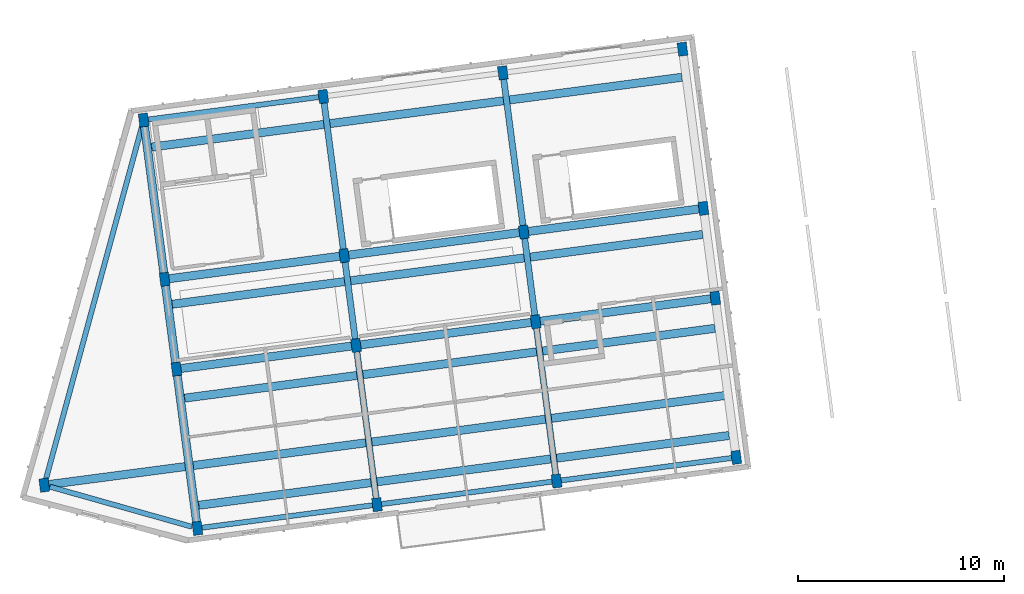
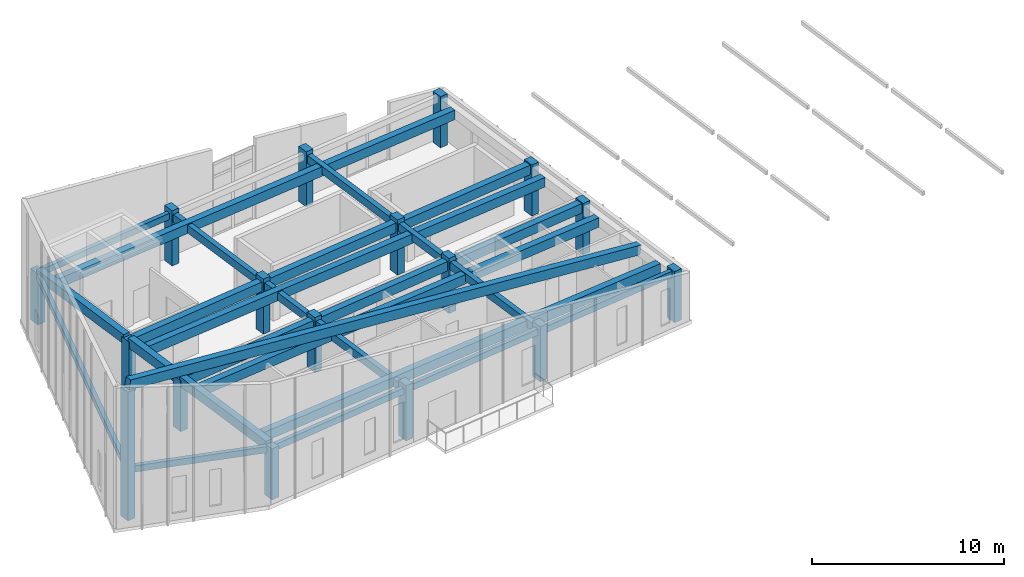
# One storey, part 1 of 10: 26 beams, 17 columns.
"""IFC4 building model written with IfcOpenShell, lengths in metres."""

from ifc_helpers import new_model, si_unit, direction, frame, origin, origin_2d, place, context, subcontext, project, spatial, rectangle, extrude, material, material_profile, profile_set, type_object, element, save


model = new_model("IFC4")

# Units and contexts
model_context = context("Model", 3, precision=1e-05, world=origin(), true_north=direction((0.0, 1.0)))
body_context = subcontext(model_context, "Body", "Model", "MODEL_VIEW")
ifc_project = project(units=[si_unit("LENGTHUNIT", "METRE"), si_unit("AREAUNIT", "SQUARE_METRE"), si_unit("VOLUMEUNIT", "CUBIC_METRE"), si_unit("PLANEANGLEUNIT", "RADIAN"), si_unit("MASSUNIT", "GRAM", prefix="KILO")], contexts=[model_context])

# Site, building, storey
site_placement = place(None, origin())
site = spatial("IfcSite", under=ifc_project, at=site_placement, CompositionType="ELEMENT")
building_placement = place(site_placement, origin())
building = spatial("IfcBuilding", under=site, at=building_placement, Name="Kestramere Prow Commons", CompositionType="ELEMENT")
storey_placement = place(building_placement, frame((0.0, 0.0, 44.14990234375)))
storey = spatial("IfcBuildingStorey", under=building, at=storey_placement, Name="L13", CompositionType="ELEMENT", Elevation=44.14990234375)

# Columns
ifc_material = material(Name="Precast concrete C40/50", Category="concrete")
ifc_material_profile_1 = material_profile(ifc_material, rectangle(XDim=0.449951171875, YDim=0.64990234375, at=origin_2d()), Name="PC-COL 450x650")
ifc_profile_set_1 = profile_set([ifc_material_profile_1], Name="Precast concrete C40/50")
column_type = type_object("IfcColumnType", Name="C-A3 PC-COL 450x650", PredefinedType="COLUMN", material=ifc_profile_set_1)
for number, where, z_axis, x_axis, name in (
    (1, (11.199951171875, 72.0, 0.0), (0.0, 0.0, 1.0), (0.991444861374, 0.13052619222, 0.0), "Block A L13 Column 1-1"),
    (2, (10.181884765625, 79.733154296875, 0.0), (0.0, 0.0, 1.0), (0.991444861374, 0.13052619222, 0.0), "Block A L13 Column 1-2"),
    (3, (9.607666015625, 84.095703125, 0.0), (0.0, 0.0, 1.0), (0.991444861374, 0.13052619222, 0.0), "Block A L13 Column 1-3"),
    (4, (8.58935546875, 91.828857421875, 0.0), (0.0, 0.0, 1.0), (0.991444861374, 0.13052619222, 0.0), "Block A L13 Column 1-4"),
):
    element("IfcColumn", number, at=place(storey_placement, frame(where, z_axis=z_axis, x_axis=x_axis)), inside=storey, type_object=column_type, Name=name, PredefinedType="COLUMN", context=body_context, shape_type="SweptSolid", body=[
        extrude(rectangle(XDim=0.449951171875, YDim=0.64990234375, at=origin_2d()), origin(), (0.0, 0.0, 1.0), 3.25),
    ])
for number, where, z_axis, x_axis, name in (
    (5, (19.9248046875, 73.148681640625, 0.0), (0.0, 0.0, 1.0), (0.991444861374, 0.13052619222, 0.0), "Block A L13 Column 2-1"),
    (6, (18.906494140625, 80.8818359375, 0.0), (0.0, 0.0, 1.0), (0.991444861374, 0.13052619222, 0.0), "Block A L13 Column 2-2"),
    (7, (18.332275390625, 85.244140625, 0.0), (0.0, 0.0, 1.0), (0.991444861374, 0.13052619222, 0.0), "Block A L13 Column 2-3"),
    (8, (17.314208984375, 92.9775390625, 0.0), (0.0, 0.0, 1.0), (0.991444861374, 0.13052619222, 0.0), "Block A L13 Column 2-4"),
    (9, (28.6494140625, 74.29736328125, 0.0), (0.0, 0.0, 1.0), (0.991444861374, 0.13052619222, 0.0), "Block A L13 Column 3-1"),
    (10, (27.63134765625, 82.030517578125, 0.0), (0.0, 0.0, 1.0), (0.991444861374, 0.13052619222, 0.0), "Block A L13 Column 3-2"),
    (11, (27.05712890625, 86.392822265625, 0.0), (0.0, 0.0, 1.0), (0.991444861374, 0.13052619222, 0.0), "Block A L13 Column 3-3"),
    (12, (26.038818359375, 94.126220703125, 0.0), (0.0, 0.0, 1.0), (0.991444861374, 0.13052619222, 0.0), "Block A L13 Column 3-4"),
):
    element("IfcColumn", number, at=place(storey_placement, frame(where, z_axis=z_axis, x_axis=x_axis)), inside=storey, type_object=column_type, Name=name, PredefinedType="COLUMN", context=body_context, shape_type="SweptSolid", body=[
        extrude(rectangle(XDim=0.449951171875, YDim=0.64990234375, at=origin_2d()), origin(), (0.0, 0.0, 1.0), 3.5),
    ])
for number, where, z_axis, x_axis, name in (
    (13, (37.3740234375, 75.44580078125, 0.0), (0.0, 0.0, 1.0), (0.991444861374, 0.13052619222, 0.0), "Block A L13 Column 4-1"),
    (14, (36.35595703125, 83.17919921875, 0.0), (0.0, 0.0, 1.0), (0.991444861374, 0.13052619222, 0.0), "Block A L13 Column 4-2"),
    (15, (35.78173828125, 87.54150390625, 0.0), (0.0, 0.0, 1.0), (0.991444861374, 0.13052619222, 0.0), "Block A L13 Column 4-3"),
    (16, (34.763671875, 95.27490234375, 0.0), (0.0, 0.0, 1.0), (0.991444861374, 0.13052619222, 0.0), "Block A L13 Column 4-4"),
):
    element("IfcColumn", number, at=place(storey_placement, frame(where, z_axis=z_axis, x_axis=x_axis)), inside=storey, type_object=column_type, Name=name, PredefinedType="COLUMN", context=body_context, shape_type="SweptSolid", body=[
        extrude(rectangle(XDim=0.449951171875, YDim=0.64990234375, at=origin_2d()), origin(), (0.0, 0.0, 1.0), 3.25),
    ])
column_placement = place(storey_placement, frame((3.7626953125, 74.09716796875, 0.0), z_axis=(0.0, 0.0, 1.0), x_axis=(0.991444861374, 0.13052619222, 0.0)))
element("IfcColumn", 17, at=column_placement, inside=storey, type_object=column_type, Name="Block A L13 Prow Apex Column", PredefinedType="COLUMN", context=body_context, shape_type="SweptSolid", body=[
    extrude(rectangle(XDim=0.449951171875, YDim=0.64990234375, at=origin_2d()), origin(), (0.0, 0.0, 1.0), 8.174560546875),
])

# Beams
ifc_material_profile_2 = material_profile(ifc_material, rectangle(XDim=0.39990234375, YDim=0.60009765625, at=origin_2d()), Name="PC-BM 400x600")
ifc_profile_set_2 = profile_set([ifc_material_profile_2], Name="Precast concrete C40/50")
beam_type_1 = type_object("IfcBeamType", Name="BM-A1 PC-BM 400x600", PredefinedType="BEAM", material=ifc_profile_set_2)
for number, where, z_axis, x_axis, name in (
    (18, (10.405029296875, 79.7626953125, 2.9501953125), (0.991445635283, 0.13052031366, 0.0), (-0.13052031366, 0.991445635283, 0.0), "Block A L13 Longitudinal Beam 2-1"),
    (19, (19.129638671875, 80.911376953125, 2.9501953125), (0.991445635283, 0.13052031366, 0.0), (-0.13052031366, 0.991445635283, 0.0), "Block A L13 Longitudinal Beam 2-2"),
    (20, (27.8544921875, 82.059814453125, 2.873046875), (0.991441851318, 0.130549053825, 0.0), (-0.130549053825, 0.991441851318, 0.0), "Block A L13 Longitudinal Beam 2-3"),
    (21, (9.83056640625, 84.125, 2.9501953125), (0.991445635283, 0.13052031366, 0.0), (-0.13052031366, 0.991445635283, 0.0), "Block A L13 Longitudinal Beam 3-1"),
    (22, (18.555419921875, 85.273681640625, 2.9501953125), (0.991445635283, 0.13052031366, 0.0), (-0.13052031366, 0.991445635283, 0.0), "Block A L13 Longitudinal Beam 3-2"),
    (23, (27.280029296875, 86.42236328125, 2.873046875), (0.991445635283, 0.13052031366, 0.0), (-0.13052031366, 0.991445635283, 0.0), "Block A L13 Longitudinal Beam 3-3"),
):
    element("IfcBeam", number, at=place(storey_placement, frame(where, z_axis=z_axis, x_axis=x_axis)), inside=storey, type_object=beam_type_1, Name=name, PredefinedType="BEAM", context=body_context, shape_type="SweptSolid", body=[
        extrude(rectangle(XDim=0.39990234375, YDim=0.60009765625, at=origin_2d()), origin(), (0.0, 0.0, 1.0), 8.35009765625),
    ])
ifc_material_profile_3 = material_profile(ifc_material, rectangle(XDim=0.300048828125, YDim=0.5, at=origin_2d()), Name="PC-BM 300x500")
ifc_profile_set_3 = profile_set([ifc_material_profile_3], Name="Precast concrete C40/50")
beam_type_2 = type_object("IfcBeamType", Name="BM-TIE-01 PC-BM 300x500", PredefinedType="BEAM", material=ifc_profile_set_3)
beam_1_placement = place(storey_placement, frame((19.88232421875, 73.470947265625, 3.0), z_axis=(-0.130541958643, 0.991442785557, 0.0), x_axis=(-0.991442785557, -0.130541958643, 0.0)))
element("IfcBeam", 24, at=beam_1_placement, inside=storey, type_object=beam_type_2, Name="Block A L13 Transverse Beam 2-1", PredefinedType="BEAM", context=body_context, shape_type="SweptSolid", body=[
    extrude(rectangle(XDim=0.300048828125, YDim=0.5, at=origin_2d()), origin(), (0.0, 0.0, 1.0), 7.14990234375),
])
beam_2_placement = place(storey_placement, frame((18.8642578125, 81.2041015625, 3.0), z_axis=(-0.130530295097, 0.991444321211, 0.0), x_axis=(-0.991444321211, -0.130530295097, 0.0)))
element("IfcBeam", 25, at=beam_2_placement, inside=storey, type_object=beam_type_2, Name="Block A L13 Transverse Beam 2-2", PredefinedType="BEAM", context=body_context, shape_type="SweptSolid", body=[
    extrude(rectangle(XDim=0.300048828125, YDim=0.5, at=origin_2d()), origin(), (0.0, 0.0, 1.0), 3.75),
])
for number, where, z_axis, x_axis, name in (
    (26, (18.289794921875, 85.56640625, 3.0), (-0.130503975686, 0.991447785983, 0.0), (-0.991447785983, -0.130503975686, 0.0), "Block A L13 Transverse Beam 2-3"),
    (27, (28.60693359375, 74.619384765625, 3.0), (-0.130503975686, 0.991447785983, 0.0), (-0.991447785983, -0.130503975686, 0.0), "Block A L13 Transverse Beam 3-1"),
):
    element("IfcBeam", number, at=place(storey_placement, frame(where, z_axis=z_axis, x_axis=x_axis)), inside=storey, type_object=beam_type_2, Name=name, PredefinedType="BEAM", context=body_context, shape_type="SweptSolid", body=[
        extrude(rectangle(XDim=0.300048828125, YDim=0.5, at=origin_2d()), origin(), (0.0, 0.0, 1.0), 7.14990234375),
    ])
beam_3_placement = place(storey_placement, frame((27.5888671875, 82.352783203125, 3.0), z_axis=(-0.130538720766, 0.991443211879, 0.0), x_axis=(-0.991443211879, -0.130538720766, 0.0)))
element("IfcBeam", 28, at=beam_3_placement, inside=storey, type_object=beam_type_2, Name="Block A L13 Transverse Beam 3-2", PredefinedType="BEAM", context=body_context, shape_type="SweptSolid", body=[
    extrude(rectangle(XDim=0.300048828125, YDim=0.5, at=origin_2d()), origin(), (0.0, 0.0, 1.0), 3.749755859375),
])
beam_4_placement = place(storey_placement, frame((27.0146484375, 86.715087890625, 3.0), z_axis=(-0.130537539388, 0.991443367425, 0.0), x_axis=(-0.991443367425, -0.130537539388, 0.0)))
element("IfcBeam", 29, at=beam_4_placement, inside=storey, type_object=beam_type_2, Name="Block A L13 Transverse Beam 3-3", PredefinedType="BEAM", context=body_context, shape_type="SweptSolid", body=[
    extrude(rectangle(XDim=0.300048828125, YDim=0.5, at=origin_2d()), origin(), (0.0, 0.0, 1.0), 7.150146484375),
])
ifc_material_profile_4 = material_profile(ifc_material, rectangle(XDim=0.39990234375, YDim=0.60009765625, at=origin_2d()), Name="PC-RB 400x600")
ifc_profile_set_4 = profile_set([ifc_material_profile_4], Name="Precast concrete C40/50")
beam_type_3 = type_object("IfcBeamType", Name="RB-PR-01 PC-RB 400x600", PredefinedType="BEAM", material=ifc_profile_set_4)
beam_5_placement = place(storey_placement, frame((11.176513671875, 72.178466796875, 3.130126953125), z_axis=(-0.130534302344, 0.991443793622, 0.0), x_axis=(-0.991443793622, -0.130534302344, 0.0)))
element("IfcBeam", 30, at=beam_5_placement, inside=storey, type_object=beam_type_3, Name="Block A Prow Peak Transverse Girder 1", PredefinedType="BEAM", context=body_context, shape_type="SweptSolid", body=[
    extrude(rectangle(XDim=0.39990234375, YDim=0.60009765625, at=origin_2d()), origin(), (0.0, 0.0, 1.0), 7.440185546875),
])
beam_6_placement = place(storey_placement, frame((10.158447265625, 79.91162109375, 3.130126953125), z_axis=(-0.130524854092, 0.991445037541, 0.0), x_axis=(-0.991445037541, -0.130524854092, 0.0)))
element("IfcBeam", 31, at=beam_6_placement, inside=storey, type_object=beam_type_3, Name="Block A Prow Peak Transverse Girder 2", PredefinedType="BEAM", context=body_context, shape_type="SweptSolid", body=[
    extrude(rectangle(XDim=0.39990234375, YDim=0.60009765625, at=origin_2d()), origin(), (0.0, 0.0, 1.0), 4.040283203125),
])
beam_7_placement = place(storey_placement, frame((9.583984375, 84.274169921875, 3.130126953125), z_axis=(-0.130506293044, 0.991447480947, 0.0), x_axis=(-0.991447480947, -0.130506293044, 0.0)))
element("IfcBeam", 32, at=beam_7_placement, inside=storey, type_object=beam_type_3, Name="Block A Prow Peak Transverse Girder 3", PredefinedType="BEAM", context=body_context, shape_type="SweptSolid", body=[
    extrude(rectangle(XDim=0.39990234375, YDim=0.60009765625, at=origin_2d()), origin(), (0.0, 0.0, 1.0), 7.43994140625),
])
for number, where, z_axis, x_axis, name in (
    (33, (11.2646484375, 73.117919921875, 3.130126953125), (0.991352035102, 0.130515238925, -0.013671682695), (-0.130527438257, 0.991444697329, 0.0), "Block A Upper Prow Raking Rafter 1"),
    (34, (10.579345703125, 78.322998046875, 3.130126953125), (0.991352035102, 0.130515238925, -0.013671682695), (-0.130527438257, 0.991444697329, 0.0), "Block A Upper Prow Raking Rafter 2"),
):
    element("IfcBeam", number, at=place(storey_placement, frame(where, z_axis=z_axis, x_axis=x_axis)), inside=storey, type_object=beam_type_3, Name=name, PredefinedType="BEAM", context=body_context, shape_type="SweptSolid", body=[
        extrude(rectangle(XDim=0.39990234375, YDim=0.60009765625, at=origin_2d()), origin(), (0.0, 0.0, 1.0), 25.982421875),
    ])
beam_8_placement = place(storey_placement, frame((9.97900390625, 82.8837890625, 3.130126953125), z_axis=(0.991351873284, 0.130516454697, -0.013671810049), x_axis=(-0.13052865437, 0.991444537222, 0.0)))
element("IfcBeam", 35, at=beam_8_placement, inside=storey, type_object=beam_type_3, Name="Block A Upper Prow Raking Rafter 3", PredefinedType="BEAM", context=body_context, shape_type="SweptSolid", body=[
    extrude(rectangle(XDim=0.39990234375, YDim=0.60009765625, at=origin_2d()), origin(), (0.0, 0.0, 1.0), 25.982177734375),
])
beam_9_placement = place(storey_placement, frame((8.973876953125, 90.517822265625, 3.130126953125), z_axis=(0.991352035102, 0.130515238925, -0.013671682695), x_axis=(-0.130527438257, 0.991444697329, 0.0)))
element("IfcBeam", 36, at=beam_9_placement, inside=storey, type_object=beam_type_3, Name="Block A Upper Prow Raking Rafter 4", PredefinedType="BEAM", context=body_context, shape_type="SweptSolid", body=[
    extrude(rectangle(XDim=0.39990234375, YDim=0.60009765625, at=origin_2d()), origin(), (0.0, 0.0, 1.0), 25.982421875),
])
beam_10_placement = place(storey_placement, frame((36.97607421875, 78.4697265625, 2.77490234375), z_axis=(-0.977399236622, -0.128675117448, 0.167730278724), x_axis=(0.130524264655, -0.991445115141, 0.0)))
element("IfcBeam", 37, at=beam_10_placement, inside=storey, type_object=beam_type_3, Name="Block A Prow Nose Ridge Rafter", PredefinedType="BEAM", context=body_context, shape_type="SweptSolid", body=[
    extrude(rectangle(XDim=0.39990234375, YDim=0.60009765625, at=origin_2d()), origin(), (0.0, 0.0, 1.0), 33.9814453125),
])
ifc_material_profile_5 = material_profile(ifc_material, rectangle(XDim=0.25, YDim=0.39990234375, at=origin_2d()), Name="PC-SP 250x400")
ifc_profile_set_5 = profile_set([ifc_material_profile_5], Name="Precast concrete C40/50")
beam_type_4 = type_object("IfcBeamType", Name="SP-EXT-01 PC-SP 250x400", PredefinedType="SPANDREL", material=ifc_profile_set_5)
beam_11_placement = place(storey_placement, frame((10.930419921875, 72.075927734375, 3.050048828125), z_axis=(-0.96246176941, 0.271417284681, 0.0), x_axis=(-0.271417284681, -0.96246176941, 0.0)))
element("IfcBeam", 38, at=beam_11_placement, inside=storey, type_object=beam_type_4, Name="Block A L13 Prow Facet Beam S", PredefinedType="SPANDREL", context=body_context, shape_type="SweptSolid", body=[
    extrude(rectangle(XDim=0.25, YDim=0.39990234375, at=origin_2d()), origin(), (0.0, 0.0, 1.0), 7.167236328125),
])
beam_12_placement = place(storey_placement, frame((8.515869140625, 91.558837890625, 3.050048828125), z_axis=(-0.262653591278, -0.964890196338, 0.0), x_axis=(0.964890196338, -0.262653591278, 0.0)))
element("IfcBeam", 39, at=beam_12_placement, inside=storey, type_object=beam_type_4, Name="Block A L13 Prow Facet Beam N", PredefinedType="SPANDREL", context=body_context, shape_type="SweptSolid", body=[
    extrude(rectangle(XDim=0.25, YDim=0.39990234375, at=origin_2d()), origin(), (0.0, 0.0, 1.0), 17.81689453125),
])
for number, where, z_axis, x_axis, name in (
    (40, (11.423095703125, 72.029296875, 3.050048828125), (0.991445635283, 0.13052031366, 0.0), (-0.13052031366, 0.991445635283, 0.0), "Block A L13 Longitudinal Beam 1-1"),
    (41, (20.147705078125, 73.177978515625, 3.050048828125), (0.991445635283, 0.13052031366, 0.0), (-0.13052031366, 0.991445635283, 0.0), "Block A L13 Longitudinal Beam 1-2"),
    (42, (28.87255859375, 74.32666015625, 2.97314453125), (0.991445635283, 0.13052031366, 0.0), (-0.13052031366, 0.991445635283, 0.0), "Block A L13 Longitudinal Beam 1-3"),
    (43, (8.8125, 91.858154296875, 3.050048828125), (0.991441851318, 0.130549053825, 0.0), (-0.130549053825, 0.991441851318, 0.0), "Block A L13 Longitudinal Beam 4-1"),
):
    element("IfcBeam", number, at=place(storey_placement, frame(where, z_axis=z_axis, x_axis=x_axis)), inside=storey, type_object=beam_type_4, Name=name, PredefinedType="SPANDREL", context=body_context, shape_type="SweptSolid", body=[
        extrude(rectangle(XDim=0.25, YDim=0.39990234375, at=origin_2d()), origin(), (0.0, 0.0, 1.0), 8.35009765625),
    ])

save(model, "model.ifc")
